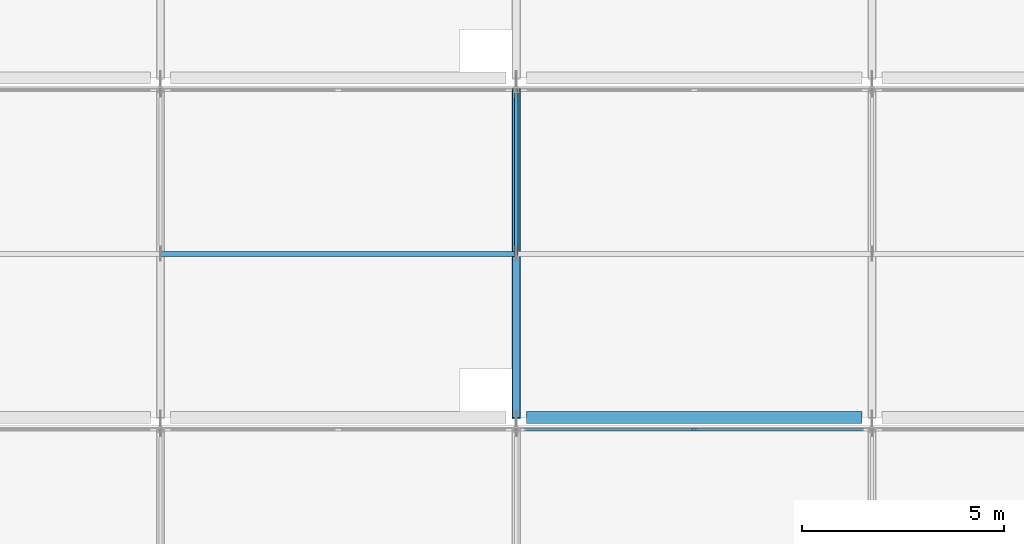
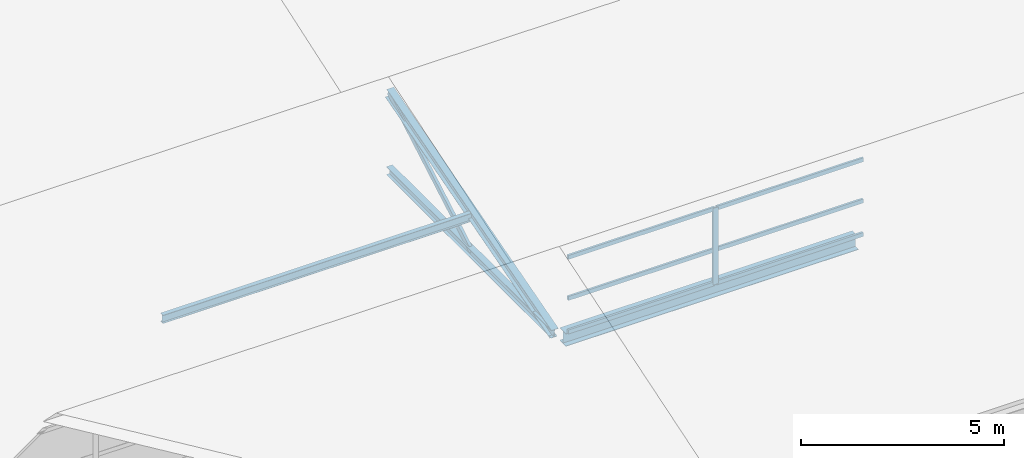
# One storey, part 13 of 40: 11 members, 1 beam, 1 element without a shape of its own.
"""IFC4 building model written with IfcOpenShell, lengths in metres."""

from ifc_helpers import new_model, si_unit, direction, frame, origin, origin_2d, place, context, subcontext, project, spatial, rectangle, hollow_rectangle, i_section, extrude, material, material_profile, profile_set, type_object, element, aggregate, save


model = new_model("IFC4")

# Units and contexts
model_context = context("Model", 3, precision=1e-05, world=origin(), true_north=direction((0.0, 1.0)))
body_context = subcontext(model_context, "Body", "Model", "MODEL_VIEW")
ifc_project = project(units=[si_unit("LENGTHUNIT", "METRE"), si_unit("AREAUNIT", "SQUARE_METRE"), si_unit("VOLUMEUNIT", "CUBIC_METRE"), si_unit("PLANEANGLEUNIT", "RADIAN"), si_unit("MASSUNIT", "GRAM", prefix="KILO")], contexts=[model_context])

# Site, building, storey
site_placement = place(None, origin())
site = spatial("IfcSite", under=ifc_project, at=site_placement, CompositionType="ELEMENT")
building_placement = place(site_placement, origin())
building = spatial("IfcBuilding", under=site, at=building_placement, Name="Brinegate Botanical Conservatory", CompositionType="ELEMENT")
storey_placement = place(building_placement, frame((0.0, 0.0, 19.199951171875)))
storey = spatial("IfcBuildingStorey", under=building, at=storey_placement, Name="L05", CompositionType="ELEMENT", Elevation=19.199951171875)

# Beam
ifc_material_1 = material(Name="Structural steel Q355B / S355", Category="steel")
ifc_material_profile_1 = material_profile(ifc_material_1, i_section(OverallWidth=0.300048828125, OverallDepth=0.389892578125, WebThickness=0.010009765625, FlangeThickness=0.01611328125, at=origin_2d()), Name="HM 390x300x10x16")
ifc_profile_set_1 = profile_set([ifc_material_profile_1], Name="Structural steel Q355B / S355")
beam_type = type_object("IfcBeamType", Name="Beam_BM-S5", PredefinedType="BEAM", material=ifc_profile_set_1)
beam_placement = place(storey_placement, frame((103.85009765625, 95.199951171875, -0.179931640625), z_axis=(1.0, 0.0, 0.0), x_axis=(0.0, 1.0, 0.0)))
element("IfcBeam", 1, at=beam_placement, inside=storey, type_object=beam_type, Name="Sawtooth valley girder BM-S5 B2.7", PredefinedType="BEAM", context=body_context, shape_type="SweptSolid", body=[
    extrude(i_section(OverallWidth=0.300048828125, OverallDepth=0.389892578125, WebThickness=0.010009765625, FlangeThickness=0.01611328125, at=origin_2d()), origin(), (0.0, 0.0, 1.0), 8.2998046875),
])

# Curtain wall, member
ifc_material_2 = material(Name="Thermally broken anodised aluminium AW-6063-T6", Category="aluminium")
curtain_wall_type = type_object("IfcCurtainWallType", Name="CW_CW-SAW", PredefinedType="USERDEFINED", material=ifc_material_2)
curtain_wall_placement = place(storey_placement, origin())
curtain_wall = element("IfcCurtainWall", 2, at=curtain_wall_placement, inside=storey, type_object=curtain_wall_type, Name="Sawtooth north-light clerestory B1.7", ObjectType="FACTORY CURTAIN WALL", PredefinedType="USERDEFINED")
ifc_material_profile_2 = material_profile(ifc_material_2, rectangle(XDim=0.06005859375, YDim=0.159912109375, at=origin_2d()), Name="ALUM MULLION 60x160")
ifc_profile_set_2 = profile_set([ifc_material_profile_2], Name="Thermally broken anodised aluminium AW-6063-T6")
member_type_1 = type_object("IfcMemberType", Name="Member_ML-01", PredefinedType="MULLION", material=ifc_profile_set_2)
member_1_placement = place(storey_placement, frame((108.0, 94.89990234375, 0.150146484375), z_axis=(0.0, 0.0, 1.0), x_axis=(0.0, 1.0, 0.0)))
member_1 = element("IfcMember", 3, at=member_1_placement, type_object=member_type_1, Name="CW-SAW mullion 2", PredefinedType="MULLION", context=body_context, shape_type="SweptSolid", body=[
    extrude(rectangle(XDim=0.06005859375, YDim=0.159912109375, at=origin_2d()), origin(), (0.0, 0.0, 1.0), 2.2998046875),
])

# Members
ifc_material_profile_3 = material_profile(ifc_material_1, hollow_rectangle(XDim=0.080078125, YDim=0.159912109375, WallThickness=0.006103515625, at=origin_2d()), Name="RHS 160x80x6")
ifc_profile_set_3 = profile_set([ifc_material_profile_3], Name="Structural steel Q355B / S355")
member_type_2 = type_object("IfcMemberType", Name="Member_SB-01", PredefinedType="BRACE", material=ifc_profile_set_3)
member_2_placement = place(storey_placement, frame((103.60009765625, 99.25, 0.02001953125), z_axis=(0.0, 0.866786044896, 0.49868021053), x_axis=(-1.0, 0.0, 0.0)))
element("IfcMember", 4, at=member_2_placement, inside=storey, type_object=member_type_2, Name="Sawtooth web diagonal SB-01 B2.T7", PredefinedType="BRACE", context=body_context, shape_type="SweptSolid", body=[
    extrude(hollow_rectangle(XDim=0.080078125, YDim=0.159912109375, WallThickness=0.006103515625, at=origin_2d()), origin(), (0.0, 0.0, 1.0), 4.672607421875),
])
ifc_material_profile_4 = material_profile(ifc_material_1, i_section(OverallWidth=0.199951171875, OverallDepth=0.2939453125, WebThickness=0.008056640625, FlangeThickness=0.011962890625, at=origin_2d()), Name="HM 294x200x8x12")
ifc_profile_set_4 = profile_set([ifc_material_profile_4], Name="Structural steel Q355B / S355")
member_type_3 = type_object("IfcMemberType", Name="Member_SC-01", PredefinedType="CHORD", material=ifc_profile_set_4)
member_3_placement = place(storey_placement, frame((103.60009765625, 95.199951171875, 0.02001953125), z_axis=(0.0, 0.961028334039, 0.276449889085), x_axis=(-1.0, 0.0, 0.0)))
element("IfcMember", 5, at=member_3_placement, inside=storey, type_object=member_type_3, Name="Sawtooth rafter chord SC-01 B2.T7", PredefinedType="CHORD", context=body_context, shape_type="SweptSolid", body=[
    extrude(i_section(OverallWidth=0.199951171875, OverallDepth=0.2939453125, WebThickness=0.008056640625, FlangeThickness=0.011962890625, at=origin_2d()), origin(), (0.0, 0.0, 1.0), 8.428466796875),
])
ifc_material_profile_5 = material_profile(ifc_material_1, i_section(OverallWidth=0.175048828125, OverallDepth=0.243896484375, WebThickness=0.007080078125, FlangeThickness=0.010986328125, at=origin_2d()), Name="HM 244x175x7x11")
ifc_profile_set_5 = profile_set([ifc_material_profile_5], Name="Structural steel Q355B / S355")
member_type_4 = type_object("IfcMemberType", Name="Member_SC-02", PredefinedType="CHORD", material=ifc_profile_set_5)
member_4_placement = place(storey_placement, frame((103.60009765625, 95.199951171875, 0.02001953125), z_axis=(0.0, 1.0, 0.0), x_axis=(-1.0, 0.0, 0.0)))
element("IfcMember", 6, at=member_4_placement, inside=storey, type_object=member_type_4, Name="Sawtooth bottom tie SC-02 B2.T7", PredefinedType="CHORD", context=body_context, shape_type="SweptSolid", body=[
    extrude(i_section(OverallWidth=0.175048828125, OverallDepth=0.243896484375, WebThickness=0.007080078125, FlangeThickness=0.010986328125, at=origin_2d()), origin(), (0.0, 0.0, 1.0), 8.10009765625),
])
ifc_material_profile_6 = material_profile(ifc_material_1, i_section(OverallWidth=0.125, OverallDepth=0.25, WebThickness=0.006103515625, FlangeThickness=0.009033203125, at=origin_2d()), Name="HN 250x125x6x9")
ifc_profile_set_6 = profile_set([ifc_material_profile_6], Name="Structural steel Q355B / S355")
member_type_5 = type_object("IfcMemberType", Name="Member_SPU-01", PredefinedType="PURLIN", material=ifc_profile_set_6)
member_5_placement = place(storey_placement, frame((94.800048828125, 99.25, 1.094970703125), z_axis=(1.0, 0.0, 0.0), x_axis=(0.0, 1.0, 0.0)))
element("IfcMember", 7, at=member_5_placement, inside=storey, type_object=member_type_5, Name="Sawtooth roof purlin SPU-01 B2.6", PredefinedType="PURLIN", context=body_context, shape_type="SweptSolid", body=[
    extrude(i_section(OverallWidth=0.125, OverallDepth=0.25, WebThickness=0.006103515625, FlangeThickness=0.009033203125, at=origin_2d()), origin(), (0.0, 0.0, 1.0), 8.800048828125),
])

# Member
ifc_material_profile_7 = material_profile(ifc_material_2, rectangle(XDim=0.06005859375, YDim=0.1201171875, at=origin_2d()), Name="ALUM TRANSOM 60x120")
ifc_profile_set_7 = profile_set([ifc_material_profile_7], Name="Thermally broken anodised aluminium AW-6063-T6")
member_type_6 = type_object("IfcMemberType", Name="Member_TR-01", PredefinedType="USERDEFINED", material=ifc_profile_set_7)
member_6_placement = place(storey_placement, frame((103.81005859375, 94.89990234375, 0.179931640625), z_axis=(1.0, 0.0, 0.0), x_axis=(0.0, 1.0, 0.0)))
member_6 = element("IfcMember", 8, at=member_6_placement, type_object=member_type_6, Name="CW-SAW transom 1.1", ObjectType="TRANSOM", PredefinedType="USERDEFINED", context=body_context, shape_type="SweptSolid", body=[
    extrude(rectangle(XDim=0.06005859375, YDim=0.1201171875, at=origin_2d()), origin(), (0.0, 0.0, 1.0), 4.159912109375),
])

member_7_placement = place(storey_placement, frame((103.81005859375, 94.89990234375, 1.18505859375), z_axis=(1.0, 0.0, 0.0), x_axis=(0.0, 1.0, 0.0)))
member_7 = element("IfcMember", 9, at=member_7_placement, type_object=member_type_6, Name="CW-SAW transom 1.2", ObjectType="TRANSOM", PredefinedType="USERDEFINED", context=body_context, shape_type="SweptSolid", body=[
    extrude(rectangle(XDim=0.06005859375, YDim=0.1201171875, at=origin_2d()), origin(), (0.0, 0.0, 1.0), 4.159912109375),
])

member_8_placement = place(storey_placement, frame((103.81005859375, 94.89990234375, 2.420166015625), z_axis=(1.0, 0.0, 0.0), x_axis=(0.0, 1.0, 0.0)))
member_8 = element("IfcMember", 10, at=member_8_placement, type_object=member_type_6, Name="CW-SAW transom 1.3", ObjectType="TRANSOM", PredefinedType="USERDEFINED", context=body_context, shape_type="SweptSolid", body=[
    extrude(rectangle(XDim=0.06005859375, YDim=0.1201171875, at=origin_2d()), origin(), (0.0, 0.0, 1.0), 4.159912109375),
])

member_9_placement = place(storey_placement, frame((108.030029296875, 94.89990234375, 0.179931640625), z_axis=(1.0, 0.0, 0.0), x_axis=(0.0, 1.0, 0.0)))
member_9 = element("IfcMember", 11, at=member_9_placement, type_object=member_type_6, Name="CW-SAW transom 2.1", ObjectType="TRANSOM", PredefinedType="USERDEFINED", context=body_context, shape_type="SweptSolid", body=[
    extrude(rectangle(XDim=0.06005859375, YDim=0.1201171875, at=origin_2d()), origin(), (0.0, 0.0, 1.0), 4.159912109375),
])

member_10_placement = place(storey_placement, frame((108.030029296875, 94.89990234375, 1.18505859375), z_axis=(1.0, 0.0, 0.0), x_axis=(0.0, 1.0, 0.0)))
member_10 = element("IfcMember", 12, at=member_10_placement, type_object=member_type_6, Name="CW-SAW transom 2.2", ObjectType="TRANSOM", PredefinedType="USERDEFINED", context=body_context, shape_type="SweptSolid", body=[
    extrude(rectangle(XDim=0.06005859375, YDim=0.1201171875, at=origin_2d()), origin(), (0.0, 0.0, 1.0), 4.159912109375),
])

member_11_placement = place(storey_placement, frame((108.030029296875, 94.89990234375, 2.420166015625), z_axis=(1.0, 0.0, 0.0), x_axis=(0.0, 1.0, 0.0)))
member_11 = element("IfcMember", 13, at=member_11_placement, type_object=member_type_6, Name="CW-SAW transom 2.3", ObjectType="TRANSOM", PredefinedType="USERDEFINED", context=body_context, shape_type="SweptSolid", body=[
    extrude(rectangle(XDim=0.06005859375, YDim=0.1201171875, at=origin_2d()), origin(), (0.0, 0.0, 1.0), 4.159912109375),
])

aggregate(curtain_wall, [member_1, member_6, member_7, member_8, member_9, member_10, member_11])

save(model, "model.ifc")
